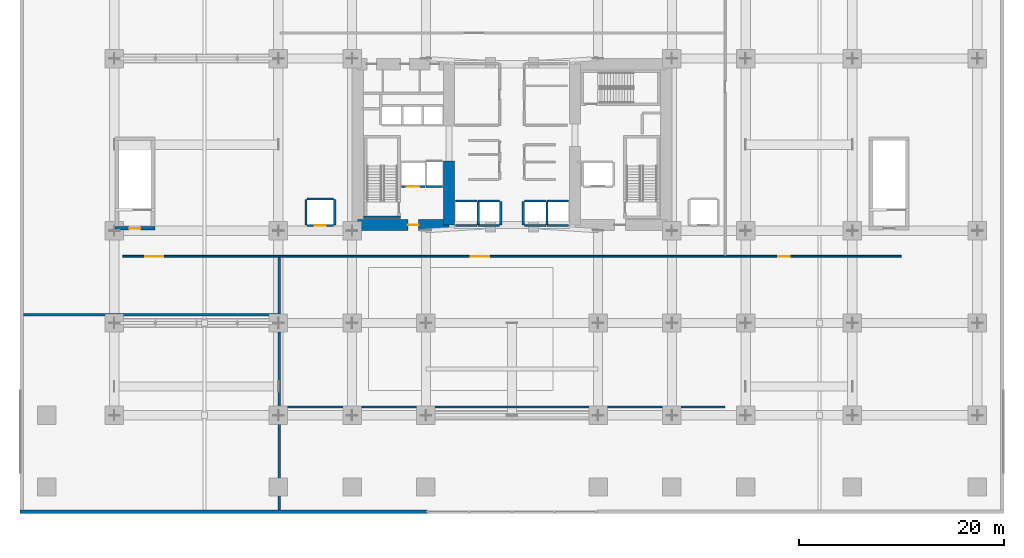
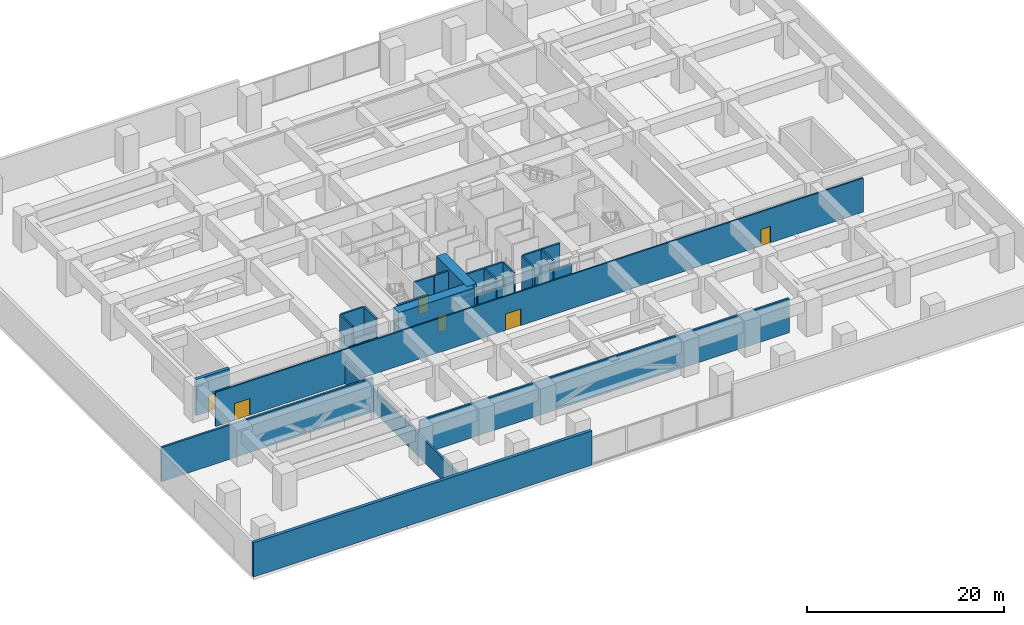
# One storey, part 15 of 25: 27 walls, 7 doors, 7 openings.
"""IFC4 building model written with IfcOpenShell, lengths in metres."""

from ifc_helpers import new_model, si_unit, direction, frame, frame_2d, origin, place, context, subcontext, project, spatial, rectangle, extrude, material, layer, layer_set, type_object, element, fill, save


model = new_model("IFC4")

# Units and contexts
model_context = context("Model", 3, precision=1e-05, world=origin(), true_north=direction((0.0, 1.0)))
body_context = subcontext(model_context, "Body", "Model", "MODEL_VIEW")
ifc_project = project(units=[si_unit("LENGTHUNIT", "METRE"), si_unit("AREAUNIT", "SQUARE_METRE"), si_unit("VOLUMEUNIT", "CUBIC_METRE"), si_unit("PLANEANGLEUNIT", "RADIAN"), si_unit("MASSUNIT", "GRAM", prefix="KILO")], contexts=[model_context])

# Site, building, storey
site_placement = place(None, origin())
site = spatial("IfcSite", under=ifc_project, at=site_placement, CompositionType="ELEMENT")
building_placement = place(site_placement, origin())
building = spatial("IfcBuilding", under=site, at=building_placement, Name="Kiyonajd Concourse Tower", CompositionType="ELEMENT")
storey_placement = place(building_placement, frame((0.0, 0.0, 17.10009765625)))
storey = spatial("IfcBuildingStorey", under=building, at=storey_placement, Name="L05", CompositionType="ELEMENT", Elevation=17.10009765625)

# Wall
ifc_material_1 = material(Name="Concrete C80/95", Category="concrete")
ifc_layer_1 = layer(ifc_material_1, 1.10009765625)
ifc_layer_set_1 = layer_set([ifc_layer_1], Name="Concrete C80/95")
wall_type_1 = type_object("IfcWallType", Name="WL-CORE-1100", PredefinedType="SHEAR", material=ifc_layer_set_1)
wall_1_placement = place(storey_placement, frame((41.85009765625, 28.14990234375, 0.0), z_axis=(0.0, 0.0, 1.0), x_axis=(0.0, 1.0, 0.0)))
element("IfcWall", 1, at=wall_1_placement, inside=storey, type_object=wall_type_1, Name="L05 West Core Inner South Shear Wall", PredefinedType="SHEAR", context=body_context, shape_type="SweptSolid", body=[
    extrude(rectangle(XDim=6.25, YDim=1.10009765625, at=frame_2d((3.125, 0.0))), origin(), (0.0, 0.0, 1.0), 4.5),
])

# Wall, opening, door
wall_2_placement = place(storey_placement, frame((32.949951171875, 28.14990234375, 0.0), z_axis=(0.0, 0.0, 1.0), x_axis=(1.0, 0.0, 0.0)))
wall_2 = element("IfcWall", 2, at=wall_2_placement, inside=storey, type_object=wall_type_1, Name="L05 West Core South Shear Wall", PredefinedType="SHEAR", context=body_context, shape_type="SweptSolid", body=[
    extrude(rectangle(XDim=8.900146484375, YDim=1.10009765625, at=frame_2d((4.4501953125, 0.0))), origin(), (0.0, 0.0, 1.0), 4.5),
])
opening_1_placement = place(wall_2_placement, frame((4.89990234375, 0.0, 0.0)))
opening_1 = element("IfcOpeningElement", 3, at=opening_1_placement, cuts=wall_2, Name="Opening DF5", PredefinedType="OPENING", context=body_context, shape_type="SweptSolid", body=[
    extrude(rectangle(XDim=1.050048828125, YDim=2.0400390625, at=frame_2d((0.52490234375, 1.02001953125))), frame((0.0, 0.56005859375, 0.0), z_axis=(0.0, -1.0, 0.0), x_axis=(1.0, 0.0, 0.0)), (0.0, 0.0, 1.0), 1.1201171875),
])
ifc_material_2 = material(Name="Brushed Stainless Steel Cab Assembly", Category="steel")
door_type_1 = type_object("IfcDoorType", Name="DR-FD45-1050", OperationType="NOTDEFINED", PredefinedType="DOOR", material=ifc_material_2)
door_1_placement = place(opening_1_placement, origin())
door_1 = element("IfcDoor", 4, at=door_1_placement, inside=storey, type_object=door_type_1, Name="L05 Firefighting Lift Lobby W Smoke Door", OperationType="SINGLE_SWING_LEFT", OverallHeight=2.0400390625, OverallWidth=1.050048828125, PredefinedType="DOOR", context=body_context, shape_type="SweptSolid", body=[
    extrude(rectangle(XDim=1.050048828125, YDim=2.0400390625, at=frame_2d((0.52490234375, 1.02001953125))), frame((0.0, 0.02490234375, 0.0), z_axis=(0.0, -1.0, 0.0), x_axis=(1.0, 0.0, 0.0)), (0.0, 0.0, 1.0), 0.050048828125),
])
fill(opening_1, door_1)

# Walls
ifc_material_3 = material(Name="Precast concrete C50/60", Category="concrete")
ifc_layer_2 = layer(ifc_material_3, 0.360107421875)
ifc_layer_set_2 = layer_set([ifc_layer_2], Name="Precast concrete C50/60")
wall_type_2 = type_object("IfcWallType", Name="WL-EXT-360", PredefinedType="SOLIDWALL", material=ifc_layer_set_2)
wall_3_placement = place(storey_placement, frame((39.719970703125, 0.179931640625, 0.0), z_axis=(0.0, 0.0, 1.0), x_axis=(-1.0, 0.0, 0.0)))
element("IfcWall", 5, at=wall_3_placement, inside=storey, type_object=wall_type_2, Name="L05 South West Podium Facade Wall", PredefinedType="SOLIDWALL", context=body_context, shape_type="SweptSolid", body=[
    extrude(rectangle(XDim=39.719970703125, YDim=0.360107421875, at=frame_2d((19.85986328125, 0.0))), origin(), (0.0, 0.0, 1.0), 4.239990234375),
])
ifc_material_4 = material(Name="Gypsum Board on Cold-Formed Steel Stud", Category="steel")
ifc_layer_3 = layer(ifc_material_4, 0.22998046875)
ifc_layer_set_3 = layer_set([ifc_layer_3], Name="Gypsum Board on Cold-Formed Steel Stud")
wall_type_3 = type_object("IfcWallType", Name="WL-FIRE-230", PredefinedType="PARTITIONING", material=ifc_layer_set_3)
wall_4_placement = place(storey_placement, frame((25.300048828125, 0.35498046875, 0.0), z_axis=(0.0, 0.0, 1.0), x_axis=(0.0, 1.0, 0.0)))
element("IfcWall", 6, at=wall_4_placement, inside=storey, type_object=wall_type_3, Name="L05 Interior Partition Wall", PredefinedType="PARTITIONING", context=body_context, shape_type="SweptSolid", body=[
    extrude(rectangle(XDim=24.657958984375, YDim=0.22998046875, at=frame_2d((12.3291015625, 0.0))), origin(), (0.0, 0.0, 1.0), 2.77490234375),
])
wall_5_placement = place(storey_placement, frame((0.35498046875, 19.39990234375, 0.0), z_axis=(0.0, 0.0, 1.0), x_axis=(1.0, 0.0, 0.0)))
element("IfcWall", 7, at=wall_5_placement, inside=storey, type_object=wall_type_3, Name="L05 Interior Partition Wall", PredefinedType="PARTITIONING", context=body_context, shape_type="SweptSolid", body=[
    extrude(rectangle(XDim=24.828125, YDim=0.22998046875, at=frame_2d((12.4140625, 0.0))), origin(), (0.0, 0.0, 1.0), 4.239990234375),
])
wall_6_placement = place(storey_placement, frame((25.4169921875, 10.39990234375, 0.0), z_axis=(0.0, 0.0, 1.0), x_axis=(1.0, 0.0, 0.0)))
element("IfcWall", 8, at=wall_6_placement, inside=storey, type_object=wall_type_3, Name="L05 Interior Partition Wall", PredefinedType="PARTITIONING", context=body_context, shape_type="SweptSolid", body=[
    extrude(rectangle(XDim=43.383056640625, YDim=0.22998046875, at=frame_2d((21.69140625, 0.0))), origin(), (0.0, 0.0, 1.0), 4.239990234375),
])

# Wall, opening, door
ifc_layer_4 = layer(ifc_material_4, 0.2099609375)
ifc_layer_set_4 = layer_set([ifc_layer_4], Name="Gypsum Board on Cold-Formed Steel Stud")
wall_type_4 = type_object("IfcWallType", Name="WL-SHAFT-210", PredefinedType="PARTITIONING", material=ifc_layer_set_4)
wall_7_placement = place(storey_placement, frame((37.199951171875, 31.89990234375, 0.0), z_axis=(0.0, 0.0, 1.0), x_axis=(1.0, 0.0, 0.0)))
wall_7 = element("IfcWall", 9, at=wall_7_placement, inside=storey, type_object=wall_type_4, Name="L05 Shaft Enclosure Wall", PredefinedType="PARTITIONING", context=body_context, shape_type="SweptSolid", body=[
    extrude(rectangle(XDim=2.300048828125, YDim=0.2099609375, at=frame_2d((1.14990234375, 0.0))), origin(), (0.0, 0.0, 1.0), 4.239990234375),
])
opening_2_placement = place(wall_7_placement, frame((0.550048828125, 0.0, 0.0)))
opening_2 = element("IfcOpeningElement", 10, at=opening_2_placement, cuts=wall_7, Name="Opening LD2", PredefinedType="OPENING", context=body_context, shape_type="SweptSolid", body=[
    extrude(rectangle(XDim=1.199951171875, YDim=2.0400390625, at=frame_2d((0.60009765625, 1.02001953125))), frame((0.0, 0.114990234375, 0.0), z_axis=(0.0, -1.0, 0.0), x_axis=(1.0, 0.0, 0.0)), (0.0, 0.0, 1.0), 0.22998046875),
])
door_type_2 = type_object("IfcDoorType", Name="DR-LD-1200", OperationType="DOUBLE_DOOR_SLIDING", PredefinedType="DOOR", material=ifc_material_2)
door_2_placement = place(opening_2_placement, origin())
door_2 = element("IfcDoor", 11, at=door_2_placement, inside=storey, type_object=door_type_2, Name="L05 Lift FFL1 Sliding Landing Door", OperationType="DOUBLE_DOOR_SLIDING", OverallHeight=2.0400390625, OverallWidth=1.199951171875, PredefinedType="DOOR", context=body_context, shape_type="SweptSolid", body=[
    extrude(rectangle(XDim=1.199951171875, YDim=2.0400390625, at=frame_2d((0.60009765625, 1.02001953125))), frame((0.0, 0.02490234375, 0.0), z_axis=(0.0, -1.0, 0.0), x_axis=(1.0, 0.0, 0.0)), (0.0, 0.0, 1.0), 0.050048828125),
])
fill(opening_2, door_2)

# Walls
wall_8_placement = place(storey_placement, frame((39.60009765625, 31.89990234375, 0.0), z_axis=(0.0, 0.0, 1.0), x_axis=(1.0, 0.0, 0.0)))
element("IfcWall", 12, at=wall_8_placement, inside=storey, type_object=wall_type_4, Name="L05 Shaft Enclosure Wall", PredefinedType="PARTITIONING", context=body_context, shape_type="SweptSolid", body=[
    extrude(rectangle(XDim=1.599853515625, YDim=0.2099609375, at=frame_2d((0.7998046875, 0.0))), origin(), (0.0, 0.0, 1.0), 4.239990234375),
])
wall_9_placement = place(storey_placement, frame((42.5, 30.5, 0.0), z_axis=(0.0, 0.0, 1.0), x_axis=(1.0, 0.0, 0.0)))
element("IfcWall", 13, at=wall_9_placement, inside=storey, type_object=wall_type_4, Name="L05 Shaft Enclosure Wall", PredefinedType="PARTITIONING", context=body_context, shape_type="SweptSolid", body=[
    extrude(rectangle(XDim=2.10009765625, YDim=0.2099609375, at=frame_2d((1.050048828125, 0.0))), origin(), (0.0, 0.0, 1.0), 4.239990234375),
])
wall_10_placement = place(storey_placement, frame((42.5, 28.10009765625, 0.0), z_axis=(0.0, 0.0, 1.0), x_axis=(1.0, 0.0, 0.0)))
element("IfcWall", 14, at=wall_10_placement, inside=storey, type_object=wall_type_4, Name="L05 Shaft Enclosure Wall", PredefinedType="PARTITIONING", context=body_context, shape_type="SweptSolid", body=[
    extrude(rectangle(XDim=2.10009765625, YDim=0.2099609375, at=frame_2d((1.050048828125, 0.0))), origin(), (0.0, 0.0, 1.0), 3.125),
])
wall_11_placement = place(storey_placement, frame((44.699951171875, 28.159912109375, 0.0), z_axis=(0.0, 0.0, 1.0), x_axis=(0.0, 1.0, 0.0)))
element("IfcWall", 15, at=wall_11_placement, inside=storey, type_object=wall_type_4, Name="L05 Shaft Enclosure Wall", PredefinedType="PARTITIONING", context=body_context, shape_type="SweptSolid", body=[
    extrude(rectangle(XDim=2.280029296875, YDim=0.2099609375, at=frame_2d((1.14013671875, 0.0))), origin(), (0.0, 0.0, 1.0), 4.239990234375),
])
wall_12_placement = place(storey_placement, frame((44.699951171875, 30.5, 0.0), z_axis=(0.0, 0.0, 1.0), x_axis=(1.0, 0.0, 0.0)))
element("IfcWall", 16, at=wall_12_placement, inside=storey, type_object=wall_type_4, Name="L05 Shaft Enclosure Wall", PredefinedType="PARTITIONING", context=body_context, shape_type="SweptSolid", body=[
    extrude(rectangle(XDim=2.10009765625, YDim=0.2099609375, at=frame_2d((1.050048828125, 0.0))), origin(), (0.0, 0.0, 1.0), 4.239990234375),
])
wall_13_placement = place(storey_placement, frame((44.699951171875, 28.10009765625, 0.0), z_axis=(0.0, 0.0, 1.0), x_axis=(1.0, 0.0, 0.0)))
element("IfcWall", 17, at=wall_13_placement, inside=storey, type_object=wall_type_4, Name="L05 Shaft Enclosure Wall", PredefinedType="PARTITIONING", context=body_context, shape_type="SweptSolid", body=[
    extrude(rectangle(XDim=2.10009765625, YDim=0.2099609375, at=frame_2d((1.050048828125, 0.0))), origin(), (0.0, 0.0, 1.0), 3.125),
])
wall_14_placement = place(storey_placement, frame((46.89990234375, 28.159912109375, 0.0), z_axis=(0.0, 0.0, 1.0), x_axis=(0.0, 1.0, 0.0)))
element("IfcWall", 18, at=wall_14_placement, inside=storey, type_object=wall_type_4, Name="L05 Shaft Enclosure Wall", PredefinedType="PARTITIONING", context=body_context, shape_type="SweptSolid", body=[
    extrude(rectangle(XDim=2.280029296875, YDim=0.2099609375, at=frame_2d((1.14013671875, 0.0))), origin(), (0.0, 0.0, 1.0), 4.239990234375),
])
wall_15_placement = place(storey_placement, frame((49.199951171875, 30.5, 0.0), z_axis=(0.0, 0.0, 1.0), x_axis=(1.0, 0.0, 0.0)))
element("IfcWall", 19, at=wall_15_placement, inside=storey, type_object=wall_type_4, Name="L05 Shaft Enclosure Wall", PredefinedType="PARTITIONING", context=body_context, shape_type="SweptSolid", body=[
    extrude(rectangle(XDim=2.10009765625, YDim=0.2099609375, at=frame_2d((1.050048828125, 0.0))), origin(), (0.0, 0.0, 1.0), 4.239990234375),
])
wall_16_placement = place(storey_placement, frame((49.199951171875, 28.10009765625, 0.0), z_axis=(0.0, 0.0, 1.0), x_axis=(1.0, 0.0, 0.0)))
element("IfcWall", 20, at=wall_16_placement, inside=storey, type_object=wall_type_4, Name="L05 Shaft Enclosure Wall", PredefinedType="PARTITIONING", context=body_context, shape_type="SweptSolid", body=[
    extrude(rectangle(XDim=2.10009765625, YDim=0.2099609375, at=frame_2d((1.050048828125, 0.0))), origin(), (0.0, 0.0, 1.0), 3.125),
])
for number, where, z_axis, x_axis, name in (
    (21, (49.10009765625, 28.159912109375, 0.0), (0.0, 0.0, 1.0), (0.0, 1.0, 0.0), "L05 Shaft Enclosure Wall"),
    (22, (51.39990234375, 28.159912109375, 0.0), (0.0, 0.0, 1.0), (0.0, 1.0, 0.0), "L05 Shaft Enclosure Wall"),
):
    element("IfcWall", number, at=place(storey_placement, frame(where, z_axis=z_axis, x_axis=x_axis)), inside=storey, type_object=wall_type_4, Name=name, PredefinedType="PARTITIONING", context=body_context, shape_type="SweptSolid", body=[
        extrude(rectangle(XDim=2.280029296875, YDim=0.2099609375, at=frame_2d((1.14013671875, 0.0))), origin(), (0.0, 0.0, 1.0), 4.239990234375),
    ])
wall_17_placement = place(storey_placement, frame((51.39990234375, 30.5, 0.0), z_axis=(0.0, 0.0, 1.0), x_axis=(1.0, 0.0, 0.0)))
element("IfcWall", 23, at=wall_17_placement, inside=storey, type_object=wall_type_4, Name="L05 Shaft Enclosure Wall", PredefinedType="PARTITIONING", context=body_context, shape_type="SweptSolid", body=[
    extrude(rectangle(XDim=2.10009765625, YDim=0.2099609375, at=frame_2d((1.050048828125, 0.0))), origin(), (0.0, 0.0, 1.0), 4.239990234375),
])
wall_18_placement = place(storey_placement, frame((51.39990234375, 28.10009765625, 0.0), z_axis=(0.0, 0.0, 1.0), x_axis=(1.0, 0.0, 0.0)))
element("IfcWall", 24, at=wall_18_placement, inside=storey, type_object=wall_type_4, Name="L05 Shaft Enclosure Wall", PredefinedType="PARTITIONING", context=body_context, shape_type="SweptSolid", body=[
    extrude(rectangle(XDim=2.10009765625, YDim=0.2099609375, at=frame_2d((1.050048828125, 0.0))), origin(), (0.0, 0.0, 1.0), 3.125),
])

# Wall, opening, door
wall_19_placement = place(storey_placement, frame((28.0, 28.10009765625, 0.0), z_axis=(0.0, 0.0, 1.0), x_axis=(1.0, 0.0, 0.0)))
wall_19 = element("IfcWall", 25, at=wall_19_placement, inside=storey, type_object=wall_type_4, Name="L05 Shaft Enclosure Wall", PredefinedType="PARTITIONING", context=body_context, shape_type="SweptSolid", body=[
    extrude(rectangle(XDim=2.60009765625, YDim=0.2099609375, at=frame_2d((1.300048828125, 0.0))), origin(), (0.0, 0.0, 1.0), 2.77490234375),
])
opening_3_placement = place(wall_19_placement, frame((0.75, 0.0, 0.0)))
opening_3 = element("IfcOpeningElement", 26, at=opening_3_placement, cuts=wall_19, Name="Opening LD1", PredefinedType="OPENING", context=body_context, shape_type="SweptSolid", body=[
    extrude(rectangle(XDim=1.10009765625, YDim=2.0400390625, at=frame_2d((0.550048828125, 1.02001953125))), frame((0.0, 0.114990234375, 0.0), z_axis=(0.0, -1.0, 0.0), x_axis=(1.0, 0.0, 0.0)), (0.0, 0.0, 1.0), 0.22998046875),
])
door_type_3 = type_object("IfcDoorType", Name="DR-LD-1100", OperationType="DOUBLE_DOOR_SLIDING", PredefinedType="DOOR", material=ifc_material_2)
door_3_placement = place(opening_3_placement, origin())
door_3 = element("IfcDoor", 27, at=door_3_placement, inside=storey, type_object=door_type_3, Name="L05 Lift PD1 Sliding Landing Door", OperationType="DOUBLE_DOOR_SLIDING", OverallHeight=2.0400390625, OverallWidth=1.10009765625, PredefinedType="DOOR", context=body_context, shape_type="SweptSolid", body=[
    extrude(rectangle(XDim=1.10009765625, YDim=2.0400390625, at=frame_2d((0.550048828125, 1.02001953125))), frame((0.0, 0.02490234375, 0.0), z_axis=(0.0, -1.0, 0.0), x_axis=(1.0, 0.0, 0.0)), (0.0, 0.0, 1.0), 0.050048828125),
])
fill(opening_3, door_3)

# Walls
wall_20_placement = place(storey_placement, frame((28.0, 30.699951171875, 0.0), z_axis=(0.0, 0.0, 1.0), x_axis=(1.0, 0.0, 0.0)))
element("IfcWall", 28, at=wall_20_placement, inside=storey, type_object=wall_type_4, Name="L05 Shaft Enclosure Wall", PredefinedType="PARTITIONING", context=body_context, shape_type="SweptSolid", body=[
    extrude(rectangle(XDim=2.60009765625, YDim=0.2099609375, at=frame_2d((1.300048828125, 0.0))), origin(), (0.0, 0.0, 1.0), 4.239990234375),
])
for number, where, z_axis, x_axis, name in (
    (29, (27.89990234375, 28.159912109375, 0.0), (0.0, 0.0, 1.0), (0.0, 1.0, 0.0), "L05 Shaft Enclosure Wall"),
    (30, (30.699951171875, 28.159912109375, 0.0), (0.0, 0.0, 1.0), (0.0, 1.0, 0.0), "L05 Shaft Enclosure Wall"),
):
    element("IfcWall", number, at=place(storey_placement, frame(where, z_axis=z_axis, x_axis=x_axis)), inside=storey, type_object=wall_type_4, Name=name, PredefinedType="PARTITIONING", context=body_context, shape_type="SweptSolid", body=[
        extrude(rectangle(XDim=2.47998046875, YDim=0.2099609375, at=frame_2d((1.239990234375, 0.0))), origin(), (0.0, 0.0, 1.0), 4.239990234375),
    ])

# Wall, openings, doors
ifc_layer_5 = layer(ifc_material_4, 0.169921875)
ifc_layer_set_5 = layer_set([ifc_layer_5], Name="Gypsum Board on Cold-Formed Steel Stud")
wall_type_5 = type_object("IfcWallType", Name="WL-SMK-170", PredefinedType="PARTITIONING", material=ifc_layer_set_5)
wall_21_placement = place(storey_placement, frame((10.0, 25.10009765625, 0.0), z_axis=(0.0, 0.0, 1.0), x_axis=(1.0, 0.0, 0.0)))
wall_21 = element("IfcWall", 31, at=wall_21_placement, inside=storey, type_object=wall_type_5, Name="L05 Interior Partition Wall", PredefinedType="PARTITIONING", context=body_context, shape_type="SweptSolid", body=[
    extrude(rectangle(XDim=76.0, YDim=0.169921875, at=frame_2d((38.0, 0.0))), origin(), (0.0, 0.0, 1.0), 4.239990234375),
])
opening_4_placement = place(wall_21_placement, frame((2.199951171875, 0.0, 0.0)))
opening_4 = element("IfcOpeningElement", 32, at=opening_4_placement, cuts=wall_21, Name="Opening DI3", PredefinedType="OPENING", context=body_context, shape_type="SweptSolid", body=[
    extrude(rectangle(XDim=1.800048828125, YDim=2.06005859375, at=frame_2d((0.89990234375, 1.030029296875))), frame((0.0, 0.094970703125, 0.0), z_axis=(0.0, -1.0, 0.0), x_axis=(1.0, 0.0, 0.0)), (0.0, 0.0, 1.0), 0.18994140625),
])
opening_5_placement = place(wall_21_placement, frame((34.0, 0.0, 0.0)))
opening_5 = element("IfcOpeningElement", 33, at=opening_5_placement, cuts=wall_21, Name="Opening DI3", PredefinedType="OPENING", context=body_context, shape_type="SweptSolid", body=[
    extrude(rectangle(XDim=1.800048828125, YDim=2.06005859375, at=frame_2d((0.89990234375, 1.030029296875))), frame((0.0, 0.094970703125, 0.0), z_axis=(0.0, -1.0, 0.0), x_axis=(1.0, 0.0, 0.0)), (0.0, 0.0, 1.0), 0.18994140625),
])
opening_6_placement = place(wall_21_placement, frame((64.0, 0.0, 0.0)))
opening_6 = element("IfcOpeningElement", 34, at=opening_6_placement, cuts=wall_21, Name="Opening DF2", PredefinedType="OPENING", context=body_context, shape_type="SweptSolid", body=[
    extrude(rectangle(XDim=1.10009765625, YDim=2.050048828125, at=frame_2d((0.550048828125, 1.02490234375))), frame((0.0, 0.094970703125, 0.0), z_axis=(0.0, -1.0, 0.0), x_axis=(1.0, 0.0, 0.0)), (0.0, 0.0, 1.0), 0.18994140625),
])
door_type_4 = type_object("IfcDoorType", Name="DR-FD90-1100", OperationType="NOTDEFINED", PredefinedType="DOOR", material=ifc_material_2)
door_4_placement = place(opening_6_placement, origin())
door_4 = element("IfcDoor", 35, at=door_4_placement, inside=storey, type_object=door_type_4, Name="L05 Interior Door", OperationType="SINGLE_SWING_RIGHT", OverallHeight=2.050048828125, OverallWidth=1.10009765625, PredefinedType="DOOR", context=body_context, shape_type="SweptSolid", body=[
    extrude(rectangle(XDim=1.10009765625, YDim=2.050048828125, at=frame_2d((0.550048828125, 1.02490234375))), frame((0.0, 0.02490234375, 0.0), z_axis=(0.0, -1.0, 0.0), x_axis=(1.0, 0.0, 0.0)), (0.0, 0.0, 1.0), 0.050048828125),
])
fill(opening_6, door_4)
door_type_5 = type_object("IfcDoorType", Name="DR-PAIR-1800", OperationType="DOUBLE_DOOR_SINGLE_SWING", PredefinedType="DOOR", material=ifc_material_2)
door_5_placement = place(opening_4_placement, origin())
door_5 = element("IfcDoor", 36, at=door_5_placement, inside=storey, type_object=door_type_5, Name="L05 Interior Door", OperationType="DOUBLE_DOOR_SINGLE_SWING", OverallHeight=2.06005859375, OverallWidth=1.800048828125, PredefinedType="DOOR", context=body_context, shape_type="SweptSolid", body=[
    extrude(rectangle(XDim=1.800048828125, YDim=2.06005859375, at=frame_2d((0.89990234375, 1.030029296875))), frame((0.0, 0.02490234375, 0.0), z_axis=(0.0, -1.0, 0.0), x_axis=(1.0, 0.0, 0.0)), (0.0, 0.0, 1.0), 0.050048828125),
])
fill(opening_4, door_5)
door_6_placement = place(opening_5_placement, origin())
door_6 = element("IfcDoor", 37, at=door_6_placement, inside=storey, type_object=door_type_5, Name="L05 Interior Door", OperationType="DOUBLE_DOOR_SINGLE_SWING", OverallHeight=2.06005859375, OverallWidth=1.800048828125, PredefinedType="DOOR", context=body_context, shape_type="SweptSolid", body=[
    extrude(rectangle(XDim=1.800048828125, YDim=2.06005859375, at=frame_2d((0.89990234375, 1.030029296875))), frame((0.0, 0.02490234375, 0.0), z_axis=(0.0, -1.0, 0.0), x_axis=(1.0, 0.0, 0.0)), (0.0, 0.0, 1.0), 0.050048828125),
])
fill(opening_5, door_6)

# Wall
ifc_material_5 = material(Name="Concrete C50/60", Category="concrete")
ifc_layer_6 = layer(ifc_material_5, 0.260009765625)
ifc_layer_set_6 = layer_set([ifc_layer_6], Name="Concrete C50/60")
wall_type_6 = type_object("IfcWallType", Name="WL-STAIR-260", PredefinedType="SHEAR", material=ifc_layer_set_6)
wall_22_placement = place(storey_placement, frame((33.5, 28.919921875, 0.0), z_axis=(0.0, 0.0, 1.0), x_axis=(1.0, 0.0, 0.0)))
element("IfcWall", 38, at=wall_22_placement, inside=storey, type_object=wall_type_6, Name="L05 Stair ST1 Structural South Wall", PredefinedType="SHEAR", context=body_context, shape_type="SweptSolid", body=[
    extrude(rectangle(XDim=3.610107421875, YDim=0.260009765625, at=frame_2d((1.80517578125, 0.0))), origin(), (0.0, 0.0, 1.0), 4.5),
])

# Wall, opening, door
ifc_layer_7 = layer(ifc_material_5, 0.35009765625)
ifc_layer_set_7 = layer_set([ifc_layer_7], Name="Concrete C50/60")
wall_type_7 = type_object("IfcWallType", Name="WL-STAIR-350", PredefinedType="SHEAR", material=ifc_layer_set_7)
wall_23_placement = place(storey_placement, frame((9.25, 27.824951171875, 0.0), z_axis=(0.0, 0.0, 1.0), x_axis=(1.0, 0.0, 0.0)))
wall_23 = element("IfcWall", 39, at=wall_23_placement, inside=storey, type_object=wall_type_7, Name="L05 Stair ST4 Structural South Wall", PredefinedType="SHEAR", context=body_context, shape_type="SweptSolid", body=[
    extrude(rectangle(XDim=3.89990234375, YDim=0.35009765625, at=frame_2d((1.949951171875, 0.0))), origin(), (0.0, 0.0, 1.0), 4.5),
])
opening_7_placement = place(wall_23_placement, frame((1.39990234375, 0.0, 0.0)))
opening_7 = element("IfcOpeningElement", 40, at=opening_7_placement, cuts=wall_23, Name="Opening DF2", PredefinedType="OPENING", context=body_context, shape_type="SweptSolid", body=[
    extrude(rectangle(XDim=1.10009765625, YDim=2.050048828125, at=frame_2d((0.550048828125, 1.02490234375))), frame((0.0, 0.18505859375, 0.0), z_axis=(0.0, -1.0, 0.0), x_axis=(1.0, 0.0, 0.0)), (0.0, 0.0, 1.0), 0.3701171875),
])
door_7_placement = place(opening_7_placement, origin())
door_7 = element("IfcDoor", 41, at=door_7_placement, inside=storey, type_object=door_type_4, Name="L05 Stair ST4 Fire Door", OperationType="SINGLE_SWING_LEFT", OverallHeight=2.050048828125, OverallWidth=1.10009765625, PredefinedType="DOOR", context=body_context, shape_type="SweptSolid", body=[
    extrude(rectangle(XDim=1.10009765625, YDim=2.050048828125, at=frame_2d((0.550048828125, 1.02490234375))), frame((0.0, 0.02490234375, 0.0), z_axis=(0.0, -1.0, 0.0), x_axis=(1.0, 0.0, 0.0)), (0.0, 0.0, 1.0), 0.050048828125),
])
fill(opening_7, door_7)

save(model, "model.ifc")
